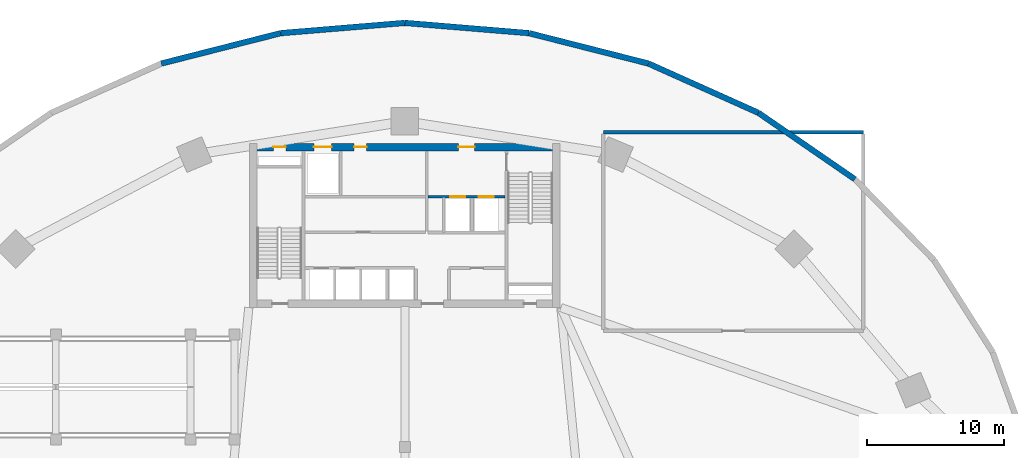
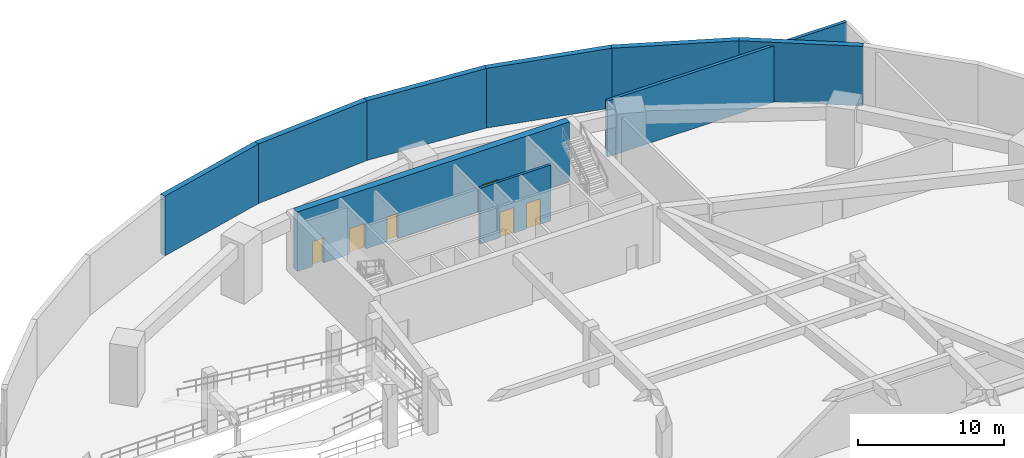
# One storey, part 7 of 10: 9 walls, 6 doors, 6 openings.
"""IFC4 building model written with IfcOpenShell, lengths in metres."""

import ifcopenshell
import ifcopenshell.guid

model = None  # the IFC model being written
_history = None  # IfcOwnerHistory: only IFC2X3 demands one
_inside = {}  # id of a spatial element -> (the spatial element, [elements in it])
_under = {}  # id of a project, library or spatial element -> (it, [spatial elements below it])
_declared = {}  # id of a project -> (the project, [libraries it declares])
_typed = {}  # id of a type object -> (the type object, [elements of that type])
_made_of = {}  # id of a material, layer set ... -> (it, [elements and type objects made of it])


def new_model(schema):
    """Start an empty IFC model of exactly this schema.

    Asked for "IFC4X3", IfcOpenShell would pick the latest addendum, in which some entities
    have other attributes; the version numbers below select the first issue.
    IFC2X3 requires an IfcOwnerHistory on every rooted entity: one is made here for all.
    """
    global model, _history
    if schema == "IFC4X3":
        model = ifcopenshell.file(schema_version=(4, 3, 0, 0))
    else:
        model = ifcopenshell.file(schema=schema)
    _inside.clear()
    _under.clear()
    _declared.clear()
    _typed.clear()
    _made_of.clear()
    _history = None
    if model.schema == "IFC2X3":
        org = make("IfcOrganization", Name="unknown")
        user = make(
            "IfcPersonAndOrganization",
            ThePerson=make("IfcPerson", FamilyName="unknown"),
            TheOrganization=org,
        )
        app = make(
            "IfcApplication",
            ApplicationDeveloper=org,
            Version="unknown",
            ApplicationFullName="unknown",
            ApplicationIdentifier="unknown",
        )
        _history = make(
            "IfcOwnerHistory",
            OwningUser=user,
            OwningApplication=app,
            ChangeAction="ADDED",
            CreationDate=0,
        )
    return model


def make(cls, **values):
    """One entity of the class cls with the attributes given. An attribute that is None is left unset."""
    return model.create_entity(
        cls, **{name: value for name, value in values.items() if value is not None}
    )


def rooted(cls, **values):
    """An entity with a GlobalId (a new one), such as an element, a storey or a relation."""
    return make(cls, GlobalId=ifcopenshell.guid.new(), OwnerHistory=_history, **values)


def si_unit(unit_type, name, prefix=None):
    """IfcSIUnit, for example si_unit("LENGTHUNIT", "METRE", prefix="MILLI")."""
    return make("IfcSIUnit", UnitType=unit_type, Prefix=prefix, Name=name)


def assignment(units):
    """IfcUnitAssignment: the units of a project."""
    return None if units is None else make("IfcUnitAssignment", Units=units)


def point(xyz):
    """IfcCartesianPoint."""
    return None if xyz is None else make("IfcCartesianPoint", Coordinates=xyz)


def direction(xyz):
    """IfcDirection."""
    return None if xyz is None else make("IfcDirection", DirectionRatios=xyz)


def frame(location, z_axis=None, x_axis=None):
    """IfcAxis2Placement3D, a coordinate frame: its origin and axes. An axis left out is left unset."""
    return make(
        "IfcAxis2Placement3D",
        Location=point(location),
        Axis=direction(z_axis),
        RefDirection=direction(x_axis),
    )


def frame_2d(location, x_axis=None):
    """IfcAxis2Placement2D, a coordinate frame in the plane: its origin and x axis."""
    return make(
        "IfcAxis2Placement2D", Location=point(location), RefDirection=direction(x_axis)
    )


def origin():
    """The frame at (0, 0, 0) with its axes left unset."""
    return frame((0.0, 0.0, 0.0))


def place(relative_to, where):
    """IfcLocalPlacement: puts the frame where relative to a parent placement (None: the world)."""
    return make(
        "IfcLocalPlacement", PlacementRelTo=relative_to, RelativePlacement=where
    )


def context(
    kind, dimensions, precision=None, world=None, true_north=None, identifier=None
):
    """IfcGeometricRepresentationContext, for example the 3D "Model" context."""
    return make(
        "IfcGeometricRepresentationContext",
        ContextIdentifier=identifier,
        ContextType=kind,
        CoordinateSpaceDimension=dimensions,
        Precision=precision,
        WorldCoordinateSystem=world,
        TrueNorth=true_north,
    )


def subcontext(parent, identifier, kind, view, scale=None):
    """IfcGeometricRepresentationSubContext, for example "Body" below "Model"."""
    return make(
        "IfcGeometricRepresentationSubContext",
        ContextIdentifier=identifier,
        ContextType=kind,
        ParentContext=parent,
        TargetScale=scale,
        TargetView=view,
    )


def project(units=None, contexts=None):
    """IfcProject with its units and contexts."""
    return rooted(
        "IfcProject",
        Name="project",
        RepresentationContexts=contexts,
        UnitsInContext=assignment(units),
    )


def spatial(cls, under=None, at=None, **own):
    """A site, building, storey or space (cls), placed at a placement, below another one or the project."""
    s = rooted(cls, ObjectPlacement=at, **own)
    if under is not None:
        _under.setdefault(under.id(), (under, []))[1].append(s)
    return s


def profile(cls, at=None, kind="AREA", **sizes):
    """A parametric profile (cls). Its sizes go by their IFC names, for example OverallWidth=200.0."""
    return make(cls, ProfileType=kind, Position=at, **sizes)


def rectangle(**sizes):
    """IfcRectangleProfileDef."""
    return profile("IfcRectangleProfileDef", **sizes)


def extrude(swept, where, along, depth):
    """IfcExtrudedAreaSolid: the profile swept, set in the frame where, extruded along a direction by depth."""
    return make(
        "IfcExtrudedAreaSolid",
        SweptArea=swept,
        Position=where,
        ExtrudedDirection=direction(along),
        Depth=depth,
    )


def shape(context_of_items, identifier, shape_type, items):
    """IfcShapeRepresentation: the items that make up one representation, for example the "Body"."""
    return make(
        "IfcShapeRepresentation",
        ContextOfItems=context_of_items,
        RepresentationIdentifier=identifier,
        RepresentationType=shape_type,
        Items=items,
    )


def source(mapping_origin, context_of_items, identifier, shape_type, items):
    """IfcRepresentationMap: a shape defined once, which mapped items show again and again."""
    return make(
        "IfcRepresentationMap",
        MappingOrigin=mapping_origin,
        MappedRepresentation=shape(context_of_items, identifier, shape_type, items),
    )


def transform(
    local_origin,
    x_axis=None,
    y_axis=None,
    z_axis=None,
    scale=None,
    scale2=None,
    scale3=None,
    uniform=True,
):
    """IfcCartesianTransformationOperator3D, or its non-uniform kind. x_axis, y_axis, z_axis: its Axis1, 2, 3."""
    if uniform:
        return make(
            "IfcCartesianTransformationOperator3D",
            Axis1=direction(x_axis),
            Axis2=direction(y_axis),
            LocalOrigin=point(local_origin),
            Scale=scale,
            Axis3=direction(z_axis),
        )
    return make(
        "IfcCartesianTransformationOperator3DnonUniform",
        Axis1=direction(x_axis),
        Axis2=direction(y_axis),
        LocalOrigin=point(local_origin),
        Scale=scale,
        Axis3=direction(z_axis),
        Scale2=scale2,
        Scale3=scale3,
    )


def mapped(mapping_source, mapping_target):
    """IfcMappedItem: shows the shape of a source again, moved by a transform."""
    return make(
        "IfcMappedItem", MappingSource=mapping_source, MappingTarget=mapping_target
    )


def material(Name=None, Category=None):
    """IfcMaterial."""
    return make("IfcMaterial", Name=Name, Category=Category)


def layer(
    of_material, thickness, ventilated=None, Name=None, Category=None, Priority=None
):
    """IfcMaterialLayer: one layer of a wall or slab, of a material (None: an air gap)."""
    return make(
        "IfcMaterialLayer",
        Material=of_material,
        LayerThickness=thickness,
        IsVentilated=ventilated,
        Name=Name,
        Category=Category,
        Priority=Priority,
    )


def layer_set(layers, Name=None):
    """IfcMaterialLayerSet."""
    return make("IfcMaterialLayerSet", MaterialLayers=layers, LayerSetName=Name)


def made_of(thing, what):
    """Note that an element or type object is made of a material, layer set ...; save() writes the relation."""
    if what is not None:
        _made_of.setdefault(what.id(), (what, []))[1].append(thing)
    return thing


def type_object(cls, material=None, **own):
    """A type object (cls), such as IfcWallType, which elements share."""
    return made_of(rooted(cls, **own), material)


def type_shapes(of_type, sources):
    """Give a type object the sources (RepresentationMaps) that its elements show as mapped items."""
    of_type.RepresentationMaps = sources


def element(
    cls,
    number,
    at=None,
    inside=None,
    cuts=None,
    type_object=None,
    material=None,
    context=None,
    identifier="Body",
    shape_type=None,
    held_by="IfcProductDefinitionShape",
    body=None,
    shapes=None,
    **own,
):
    """One element of the class cls, such as IfcWall. Its Tag is "e" and its number.

    at: its placement. inside: the storey or other place that contains it. cuts: it is an
    opening in that element (IfcRelVoidsElement). A single representation is given by context,
    identifier, shape_type and body (its items); several are given by shapes. held_by: the class
    of the entity that holds the representations. save() writes the other relations.
    """
    e = rooted(cls, Tag="e%d" % number, ObjectPlacement=at, **own)
    if body is not None:
        shapes = [shape(context, identifier, shape_type, body)]
    if shapes is not None:
        e.Representation = make(held_by, Representations=shapes)
    if inside is not None:
        _inside.setdefault(inside.id(), (inside, []))[1].append(e)
    if cuts is not None:
        rooted(
            "IfcRelVoidsElement", RelatingBuildingElement=cuts, RelatedOpeningElement=e
        )
    if type_object is not None:
        _typed.setdefault(type_object.id(), (type_object, []))[1].append(e)
    return made_of(e, material)


def fill(opening, filler):
    """IfcRelFillsElement: the door or window that sits in an opening."""
    return rooted(
        "IfcRelFillsElement",
        RelatingOpeningElement=opening,
        RelatedBuildingElement=filler,
    )


def aggregate(whole, parts):
    """IfcRelAggregates: a whole, such as a stair, and the parts it consists of."""
    return rooted("IfcRelAggregates", RelatingObject=whole, RelatedObjects=parts)


def save(model, path):
    """Write the relations noted so far, then the file.

    IfcRelAggregates (storeys below a building ...), IfcRelContainedInSpatialStructure (elements
    in a storey), IfcRelDefinesByType, IfcRelAssociatesMaterial and IfcRelDeclares: one each for
    every whole, place, type object, material and project.
    """
    for whole, parts in _under.values():
        aggregate(whole, parts)
    for where, things in _inside.values():
        rooted(
            "IfcRelContainedInSpatialStructure",
            RelatedElements=things,
            RelatingStructure=where,
        )
    for kind, things in _typed.values():
        rooted("IfcRelDefinesByType", RelatedObjects=things, RelatingType=kind)
    for what, things in _made_of.values():
        rooted("IfcRelAssociatesMaterial", RelatedObjects=things, RelatingMaterial=what)
    for by, libraries in _declared.values():
        rooted("IfcRelDeclares", RelatingContext=by, RelatedDefinitions=libraries)
    model.write(path)


model = new_model("IFC4")

# Units and contexts
model_context = context("Model", 3, precision=1e-05, world=origin(), true_north=direction((0.0, 1.0)))
body_context = subcontext(model_context, "Body", "Model", "MODEL_VIEW")
ifc_project = project(units=[si_unit("LENGTHUNIT", "METRE"), si_unit("AREAUNIT", "SQUARE_METRE"), si_unit("VOLUMEUNIT", "CUBIC_METRE"), si_unit("PLANEANGLEUNIT", "RADIAN"), si_unit("MASSUNIT", "GRAM", prefix="KILO")], contexts=[model_context])

# Site, building, storey
site_placement = place(None, origin())
site = spatial("IfcSite", under=ifc_project, at=site_placement, CompositionType="ELEMENT")
building_placement = place(site_placement, origin())
building = spatial("IfcBuilding", under=site, at=building_placement, Name="Breltana Convention Tower", CompositionType="ELEMENT")
storey_placement = place(building_placement, frame((0.0, 0.0, -5.0)))
storey = spatial("IfcBuildingStorey", under=building, at=storey_placement, Name="B01", CompositionType="ELEMENT", Elevation=-5.0)

# Walls
ifc_material_1 = material(Name="Concrete C40/50", Category="concrete")
ifc_layer_1 = layer(ifc_material_1, 0.419921875, Name="Concrete C40/50")
ifc_layer_set_1 = layer_set([ifc_layer_1], Name="Concrete C40/50")
wall_type_1 = type_object("IfcWallType", Name="SW-BASE-420", PredefinedType="USERDEFINED", material=ifc_layer_set_1)
shared_shape_1 = source(origin(), body_context, "Body", "SweptSolid", [
    extrude(rectangle(XDim=8.554443359375, YDim=0.419921875, at=frame_2d((4.27734375, 0.0))), origin(), (0.0, 0.0, 1.0), 5.0),
])
wall_1_placement = place(storey_placement, frame((80.880615234375, 69.5771484375, 0.0), z_axis=(0.0, 0.0, 1.0), x_axis=(-0.823739529001, 0.566968419192, 0.0)))
element("IfcWall", 1, at=wall_1_placement, inside=storey, type_object=wall_type_1, Name="B01 Perimeter Retaining Wall 05", ObjectType="RETAININGWALL", PredefinedType="USERDEFINED", context=body_context, shape_type="MappedRepresentation", body=[
    mapped(shared_shape_1, transform((0.0, 0.0, 0.0), scale=1.0)),
])
shared_shape_2 = source(origin(), body_context, "Body", "SweptSolid", [
    extrude(rectangle(XDim=8.81005859375, YDim=0.419921875, at=frame_2d((4.405029296875, 0.0))), origin(), (0.0, 0.0, 1.0), 5.0),
])
wall_2_placement = place(storey_placement, frame((73.833984375, 74.42724609375, 0.0), z_axis=(0.0, 0.0, 1.0), x_axis=(-0.912497196731, 0.409082957305, 0.0)))
element("IfcWall", 2, at=wall_2_placement, inside=storey, type_object=wall_type_1, Name="B01 Perimeter Retaining Wall 06", ObjectType="RETAININGWALL", PredefinedType="USERDEFINED", context=body_context, shape_type="MappedRepresentation", body=[
    mapped(shared_shape_2, transform((0.0, 0.0, 0.0), scale=1.0)),
])
shared_shape_3 = source(origin(), body_context, "Body", "SweptSolid", [
    extrude(rectangle(XDim=9.0009765625, YDim=0.419921875, at=frame_2d((4.50048828125, 0.0))), origin(), (0.0, 0.0, 1.0), 5.0),
])
for number, where, z_axis, x_axis, name in (
    (3, (65.794921875, 78.03125, 0.0), (0.0, 0.0, 1.0), (-0.969128996808, 0.246554228407, 0.0), "B01 Perimeter Retaining Wall 07"),
    (4, (38.92822265625, 80.25048828125, 0.0), (0.0, 0.0, 1.0), (-0.969128996808, -0.246554228407, 0.0), "B01 Perimeter Retaining Wall 10"),
):
    element("IfcWall", number, at=place(storey_placement, frame(where, z_axis=z_axis, x_axis=x_axis)), inside=storey, type_object=wall_type_1, Name=name, ObjectType="RETAININGWALL", PredefinedType="USERDEFINED", context=body_context, shape_type="MappedRepresentation", body=[
        mapped(shared_shape_3, transform((0.0, 0.0, 0.0), scale=1.0)),
    ])
shared_shape_4 = source(origin(), body_context, "Body", "SweptSolid", [
    extrude(rectangle(XDim=9.102783203125, YDim=0.419921875, at=frame_2d((4.55126953125, 0.0))), origin(), (0.0, 0.0, 1.0), 5.0),
])
for number, where, z_axis, x_axis, name in (
    (5, (57.07177734375, 80.25048828125, 0.0), (0.0, 0.0, 1.0), (-0.996604328886, 0.08233961165, 0.0), "B01 Perimeter Retaining Wall 08"),
    (6, (48.0, 81.0, 0.0), (0.0, 0.0, 1.0), (-0.996604328886, -0.08233961165, 0.0), "B01 Perimeter Retaining Wall 09"),
):
    element("IfcWall", number, at=place(storey_placement, frame(where, z_axis=z_axis, x_axis=x_axis)), inside=storey, type_object=wall_type_1, Name=name, ObjectType="RETAININGWALL", PredefinedType="USERDEFINED", context=body_context, shape_type="MappedRepresentation", body=[
        mapped(shared_shape_4, transform((0.0, 0.0, 0.0), scale=1.0)),
    ])

# Wall, openings, doors
ifc_material_2 = material(Name="Concrete C60/75", Category="concrete")
ifc_layer_2 = layer(ifc_material_2, 0.550048828125, Name="Concrete C60/75")
ifc_layer_set_2 = layer_set([ifc_layer_2], Name="Concrete C60/75")
wall_type_2 = type_object("IfcWallType", Name="SW-CORE-550", PredefinedType="SHEAR", material=ifc_layer_set_2)
shared_shape_5 = source(origin(), body_context, "Body", "SweptSolid", [
    extrude(rectangle(XDim=21.60009765625, YDim=0.550048828125, at=frame_2d((10.800048828125, 0.0))), origin(), (0.0, 0.0, 1.0), 5.0),
])
wall_3_placement = place(storey_placement, frame((37.199951171875, 71.925048828125, 0.0), z_axis=(0.0, 0.0, 1.0), x_axis=(1.0, 0.0, 0.0)))
wall_3 = element("IfcWall", 7, at=wall_3_placement, inside=storey, type_object=wall_type_2, Name="B01 North Core Shear Wall", PredefinedType="SHEAR", context=body_context, shape_type="MappedRepresentation", body=[
    mapped(shared_shape_5, transform((0.0, 0.0, 0.0), scale=1.0)),
])
opening_1_placement = place(wall_3_placement, frame((1.199951171875, 0.0, 0.0)))
opening_1 = element("IfcOpeningElement", 8, at=opening_1_placement, cuts=wall_3, Name="Opening D-18", PredefinedType="OPENING", context=body_context, shape_type="SweptSolid", body=[
    extrude(rectangle(XDim=0.89990234375, YDim=2.10009765625, at=frame_2d((0.449951171875, 1.050048828125))), frame((0.0, 0.28515625, 0.0), z_axis=(0.0, -1.0, 0.0), x_axis=(1.0, 0.0, 0.0)), (0.0, 0.0, 1.0), 0.570068359375),
])
opening_2_placement = place(wall_3_placement, frame((14.699951171875, 0.0, 0.0)))
opening_2 = element("IfcOpeningElement", 9, at=opening_2_placement, cuts=wall_3, Name="Opening D-09", PredefinedType="OPENING", context=body_context, shape_type="SweptSolid", body=[
    extrude(rectangle(XDim=1.199951171875, YDim=2.14990234375, at=frame_2d((0.60009765625, 1.074951171875))), frame((0.0, 0.28515625, 0.0), z_axis=(0.0, -1.0, 0.0), x_axis=(1.0, 0.0, 0.0)), (0.0, 0.0, 1.0), 0.570068359375),
])
opening_3_placement = place(wall_3_placement, frame((4.14990234375, 0.0, 0.0)))
opening_3 = element("IfcOpeningElement", 10, at=opening_3_placement, cuts=wall_3, Name="Opening LD-01", PredefinedType="OPENING", context=body_context, shape_type="SweptSolid", body=[
    extrude(rectangle(XDim=1.300048828125, YDim=2.14990234375, at=frame_2d((0.64990234375, 1.074951171875))), frame((0.0, 0.28515625, 0.0), z_axis=(0.0, -1.0, 0.0), x_axis=(1.0, 0.0, 0.0)), (0.0, 0.0, 1.0), 0.570068359375),
])
opening_4_placement = place(wall_3_placement, frame((7.10009765625, 0.0, 0.0)))
opening_4 = element("IfcOpeningElement", 11, at=opening_4_placement, cuts=wall_3, Name="Opening D-18", PredefinedType="OPENING", context=body_context, shape_type="SweptSolid", body=[
    extrude(rectangle(XDim=0.89990234375, YDim=2.10009765625, at=frame_2d((0.449951171875, 1.050048828125))), frame((0.0, 0.28515625, 0.0), z_axis=(0.0, -1.0, 0.0), x_axis=(1.0, 0.0, 0.0)), (0.0, 0.0, 1.0), 0.570068359375),
])
ifc_material_3 = material(Name="Steel Riser Fire Door", Category="steel")
door_type_1 = type_object("IfcDoorType", Name="DR-FD60-900", OperationType="NOTDEFINED", PredefinedType="DOOR", material=ifc_material_3)
shared_shape_6 = source(origin(), body_context, "Body", "SweptSolid", [
    extrude(rectangle(XDim=0.89990234375, YDim=2.10009765625, at=frame_2d((0.449951171875, 1.050048828125))), frame((0.0, 0.02490234375, 0.0), z_axis=(0.0, -1.0, 0.0), x_axis=(1.0, 0.0, 0.0)), (0.0, 0.0, 1.0), 0.050048828125),
])
type_shapes(door_type_1, [shared_shape_6])
door_1_placement = place(opening_1_placement, origin())
door_1 = element("IfcDoor", 12, at=door_1_placement, inside=storey, type_object=door_type_1, Name="B01 Core Riser Access Door D-B01-RS1", OperationType="SINGLE_SWING_LEFT", OverallHeight=2.10009765625, OverallWidth=0.89990234375, PredefinedType="DOOR", context=body_context, shape_type="MappedRepresentation", body=[
    mapped(shared_shape_6, transform((0.0, 0.0, 0.0), scale=1.0)),
])
fill(opening_1, door_1)
door_2_placement = place(opening_4_placement, origin())
door_2 = element("IfcDoor", 13, at=door_2_placement, inside=storey, type_object=door_type_1, Name="B01 interior door D-B01-CRA1", OperationType="SINGLE_SWING_LEFT", OverallHeight=2.10009765625, OverallWidth=0.89990234375, PredefinedType="DOOR", context=body_context, shape_type="MappedRepresentation", body=[
    mapped(shared_shape_6, transform((0.0, 0.0, 0.0), scale=1.0)),
])
fill(opening_4, door_2)
ifc_material_4 = material(Name="Steel Fire Lobby Door", Category="steel")
door_type_2 = type_object("IfcDoorType", Name="DR-FD120-1200", OperationType="NOTDEFINED", PredefinedType="DOOR", material=ifc_material_4)
shared_shape_7 = source(origin(), body_context, "Body", "SweptSolid", [
    extrude(rectangle(XDim=1.199951171875, YDim=2.14990234375, at=frame_2d((0.60009765625, 1.074951171875))), frame((0.0, 0.02490234375, 0.0), z_axis=(0.0, -1.0, 0.0), x_axis=(1.0, 0.0, 0.0)), (0.0, 0.0, 1.0), 0.050048828125),
])
type_shapes(door_type_2, [shared_shape_7])
door_3_placement = place(opening_2_placement, origin())
door_3 = element("IfcDoor", 14, at=door_3_placement, inside=storey, type_object=door_type_2, Name="B01 interior door D-B01-FFL-N", OperationType="SINGLE_SWING_RIGHT", OverallHeight=2.14990234375, OverallWidth=1.199951171875, PredefinedType="DOOR", context=body_context, shape_type="MappedRepresentation", body=[
    mapped(shared_shape_7, transform((0.0, 0.0, 0.0), scale=1.0)),
])
fill(opening_2, door_3)
ifc_material_5 = material(Name="Stainless Steel Brushed", Category="steel")
door_type_3 = type_object("IfcDoorType", Name="DR-LD-SRV-1300", OperationType="DOUBLE_DOOR_SLIDING", PredefinedType="DOOR", material=ifc_material_5)
shared_shape_8 = source(origin(), body_context, "Body", "SweptSolid", [
    extrude(rectangle(XDim=1.300048828125, YDim=2.14990234375, at=frame_2d((0.64990234375, 1.074951171875))), frame((0.0, 0.02490234375, 0.0), z_axis=(0.0, -1.0, 0.0), x_axis=(1.0, 0.0, 0.0)), (0.0, 0.0, 1.0), 0.050048828125),
])
type_shapes(door_type_3, [shared_shape_8])
door_4_placement = place(opening_3_placement, origin())
door_4 = element("IfcDoor", 15, at=door_4_placement, inside=storey, type_object=door_type_3, Name="B01 Lift Landing Door D-B01-LD-SV1", OperationType="DOUBLE_DOOR_SLIDING", OverallHeight=2.14990234375, OverallWidth=1.300048828125, PredefinedType="DOOR", context=body_context, shape_type="MappedRepresentation", body=[
    mapped(shared_shape_8, transform((0.0, 0.0, 0.0), scale=1.0)),
])
fill(opening_3, door_4)

ifc_material_6 = material(Name="Autoclaved Aerated Concrete Block", Category="concrete")
ifc_layer_3 = layer(ifc_material_6, 0.199951171875, Name="Autoclaved Aerated Concrete Block")
ifc_layer_set_3 = layer_set([ifc_layer_3], Name="Autoclaved Aerated Concrete Block")
wall_type_3 = type_object("IfcWallType", Name="WL-SHAFT-200", PredefinedType="SOLIDWALL", material=ifc_layer_set_3)
shared_shape_9 = source(origin(), body_context, "Body", "SweptSolid", [
    extrude(rectangle(XDim=5.6201171875, YDim=0.199951171875, at=frame_2d((2.81005859375, 0.0))), origin(), (0.0, 0.0, 1.0), 4.699951171875),
])
wall_4_placement = place(storey_placement, frame((49.699951171875, 68.300048828125, 0.0), z_axis=(0.0, 0.0, 1.0), x_axis=(1.0, 0.0, 0.0)))
wall_4 = element("IfcWall", 16, at=wall_4_placement, inside=storey, type_object=wall_type_3, Name="B01 interior partition W-B01-FFL-S", PredefinedType="SOLIDWALL", context=body_context, shape_type="MappedRepresentation", body=[
    mapped(shared_shape_9, transform((0.0, 0.0, 0.0), scale=1.0)),
])
opening_5_placement = place(wall_4_placement, frame((1.60009765625, 0.0, 0.0)))
opening_5 = element("IfcOpeningElement", 17, at=opening_5_placement, cuts=wall_4, Name="Opening LD-03", PredefinedType="OPENING", context=body_context, shape_type="SweptSolid", body=[
    extrude(rectangle(XDim=1.10009765625, YDim=2.14990234375, at=frame_2d((0.550048828125, 1.074951171875))), frame((0.0, 0.10986328125, 0.0), z_axis=(0.0, -1.0, 0.0), x_axis=(1.0, 0.0, 0.0)), (0.0, 0.0, 1.0), 0.219970703125),
])
opening_6_placement = place(wall_4_placement, frame((3.699951171875, 0.0, 0.0)))
opening_6 = element("IfcOpeningElement", 18, at=opening_6_placement, cuts=wall_4, Name="Opening LD-03", PredefinedType="OPENING", context=body_context, shape_type="SweptSolid", body=[
    extrude(rectangle(XDim=1.10009765625, YDim=2.14990234375, at=frame_2d((0.550048828125, 1.074951171875))), frame((0.0, 0.10986328125, 0.0), z_axis=(0.0, -1.0, 0.0), x_axis=(1.0, 0.0, 0.0)), (0.0, 0.0, 1.0), 0.219970703125),
])
door_type_4 = type_object("IfcDoorType", Name="DR-LD-FF-1100", OperationType="DOUBLE_DOOR_SLIDING", PredefinedType="DOOR", material=ifc_material_5)
shared_shape_10 = source(origin(), body_context, "Body", "SweptSolid", [
    extrude(rectangle(XDim=1.10009765625, YDim=2.14990234375, at=frame_2d((0.550048828125, 1.074951171875))), frame((0.0, 0.02490234375, 0.0), z_axis=(0.0, -1.0, 0.0), x_axis=(1.0, 0.0, 0.0)), (0.0, 0.0, 1.0), 0.050048828125),
])
type_shapes(door_type_4, [shared_shape_10])
door_5_placement = place(opening_5_placement, origin())
door_5 = element("IfcDoor", 19, at=door_5_placement, inside=storey, type_object=door_type_4, Name="B01 Lift Landing Door D-B01-LD-FL1", OperationType="DOUBLE_DOOR_SLIDING", OverallHeight=2.14990234375, OverallWidth=1.10009765625, PredefinedType="DOOR", context=body_context, shape_type="MappedRepresentation", body=[
    mapped(shared_shape_10, transform((0.0, 0.0, 0.0), scale=1.0)),
])
fill(opening_5, door_5)
door_6_placement = place(opening_6_placement, origin())
door_6 = element("IfcDoor", 20, at=door_6_placement, inside=storey, type_object=door_type_4, Name="B01 Lift Landing Door D-B01-LD-FL2", OperationType="DOUBLE_DOOR_SLIDING", OverallHeight=2.14990234375, OverallWidth=1.10009765625, PredefinedType="DOOR", context=body_context, shape_type="MappedRepresentation", body=[
    mapped(shared_shape_10, transform((0.0, 0.0, 0.0), scale=1.0)),
])
fill(opening_6, door_6)

# Wall
ifc_material_7 = material(Name="Gypsum Acoustic Double Stud Wall")
ifc_layer_4 = layer(ifc_material_7, 0.25, Name="Gypsum Acoustic Double Stud Wall")
ifc_layer_set_4 = layer_set([ifc_layer_4], Name="Gypsum Acoustic Double Stud Wall")
wall_type_4 = type_object("IfcWallType", Name="WL-ACOUSTIC-250", PredefinedType="PARTITIONING", material=ifc_layer_set_4)
shared_shape_11 = source(origin(), body_context, "Body", "SweptSolid", [
    extrude(rectangle(XDim=19.0, YDim=0.25, at=frame_2d((9.5, 0.0))), origin(), (0.0, 0.0, 1.0), 4.699951171875),
])
wall_5_placement = place(storey_placement, frame((62.5, 73.0, 0.0), z_axis=(0.0, 0.0, 1.0), x_axis=(1.0, 0.0, 0.0)))
element("IfcWall", 21, at=wall_5_placement, inside=storey, type_object=wall_type_4, Name="B01 interior partition W-B01-PLT1-N", PredefinedType="PARTITIONING", context=body_context, shape_type="MappedRepresentation", body=[
    mapped(shared_shape_11, transform((0.0, 0.0, 0.0), scale=1.0)),
])

save(model, "model.ifc")
